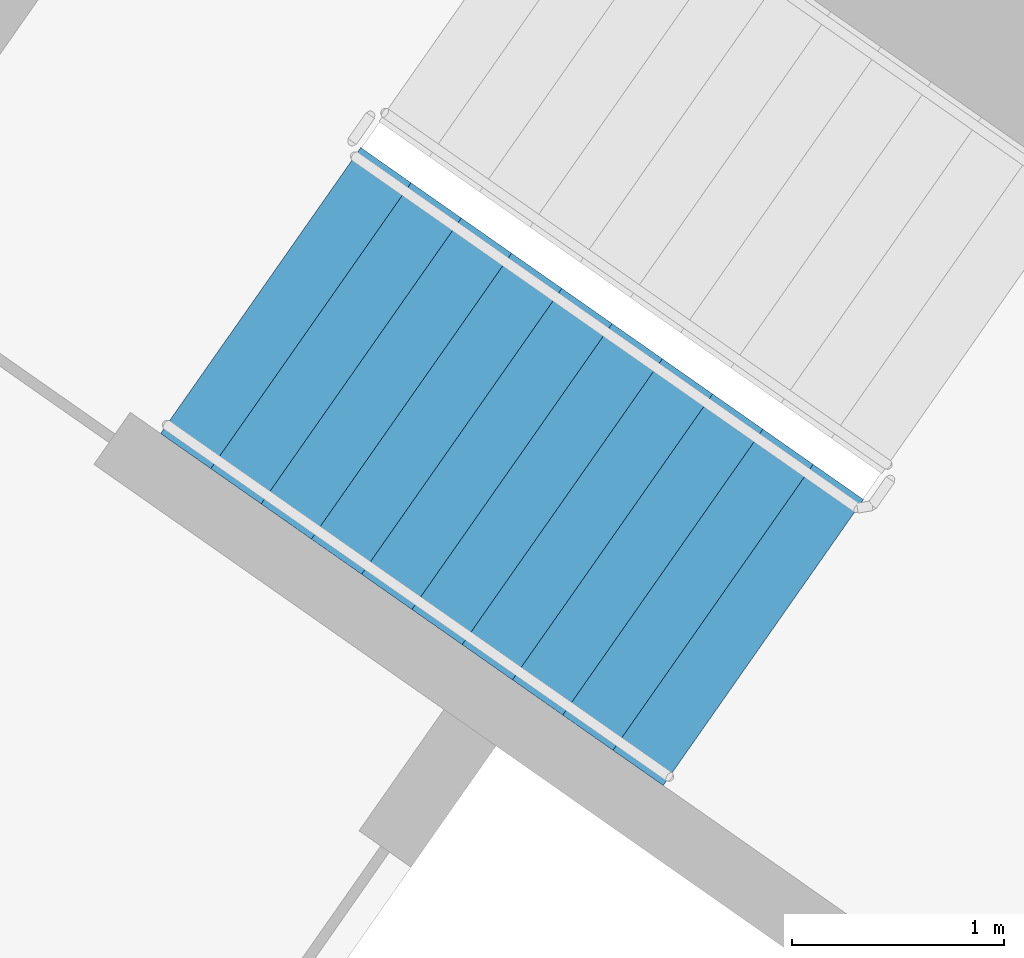
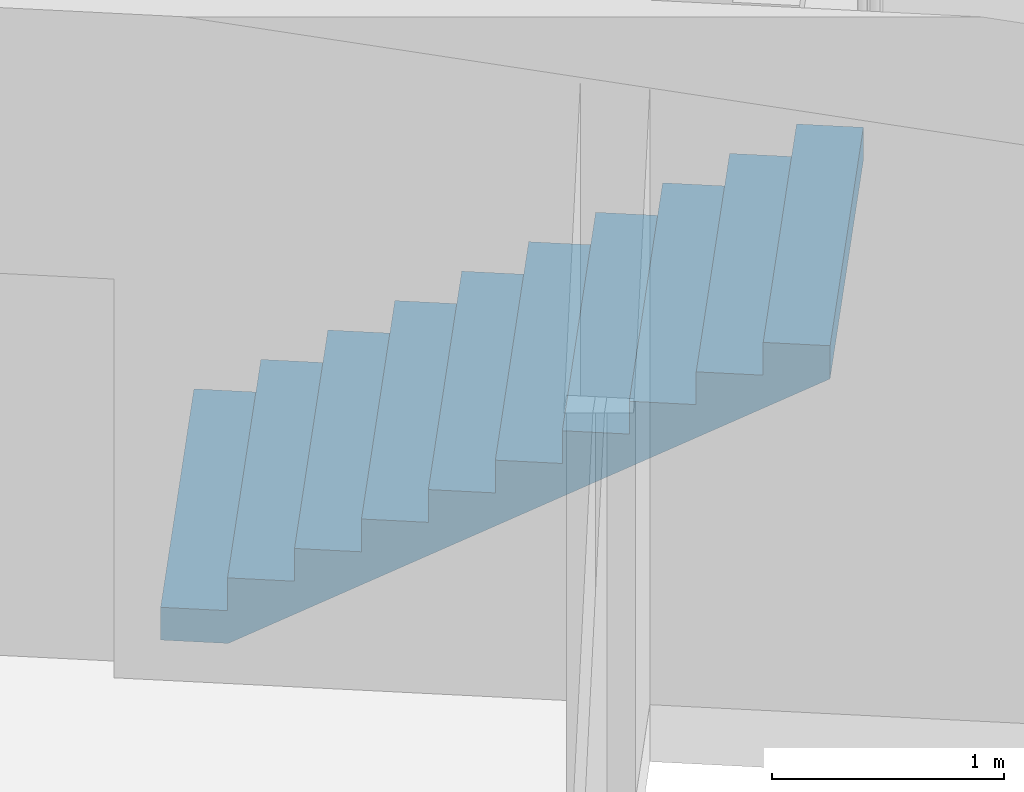
# One storey, part 12 of 28: 1 stair flight, 1 element without a shape of its own.
"""IFC4 building model written with IfcOpenShell, lengths in metres."""

from ifc_helpers import new_model, si_unit, direction, frame, origin, place, context, subcontext, project, spatial, faceted_brep, material, type_object, element, aggregate, save


model = new_model("IFC4")

# Units and contexts
model_context = context("Model", 3, precision=1e-05, world=origin(), true_north=direction((0.0, 1.0)))
body_context = subcontext(model_context, "Body", "Model", "MODEL_VIEW")
ifc_project = project(units=[si_unit("LENGTHUNIT", "METRE"), si_unit("AREAUNIT", "SQUARE_METRE"), si_unit("VOLUMEUNIT", "CUBIC_METRE"), si_unit("PLANEANGLEUNIT", "RADIAN"), si_unit("MASSUNIT", "GRAM", prefix="KILO")], contexts=[model_context])

# Site, building, storey
site_placement = place(None, origin())
site = spatial("IfcSite", under=ifc_project, at=site_placement, CompositionType="ELEMENT")
building_placement = place(site_placement, origin())
building = spatial("IfcBuilding", under=site, at=building_placement, Name="Qamariyya Broadcast Tower", CompositionType="ELEMENT")
storey_placement = place(building_placement, frame((0.0, 0.0, 273.300048828125)))
storey = spatial("IfcBuildingStorey", under=building, at=storey_placement, Name="L66", CompositionType="ELEMENT", Elevation=273.300048828125)

# Stair, stair flight
ifc_material = material(Name="Concrete C50/60", Category="concrete")
stair_type = type_object("IfcStairType", Name="Exit stair 22 risers of 173 mm", PredefinedType="HALF_TURN_STAIR", material=ifc_material)
stair_placement = place(storey_placement, origin())
stair = element("IfcStair", 1, at=stair_placement, inside=storey, type_object=stair_type, Name="L66 Stair W2", PredefinedType="HALF_TURN_STAIR")
stair_flight_type = type_object("IfcStairFlightType", Name="Exit stair flight 11 risers of 173 mm", PredefinedType="STRAIGHT", material=ifc_material)
stair_flight_placement = place(storey_placement, frame((-41.59130859375, -49.15966796875, 0.0), z_axis=(0.0, 0.0, 1.0), x_axis=(0.819152044289, -0.573576436351, 0.0)))
stair_flight = element("IfcStairFlight", 2, at=stair_flight_placement, type_object=stair_flight_type, Name="ST-W2 flight 1", NumberOfRisers=11, NumberOfTreads=10, PredefinedType="STRAIGHT", RiserHeight=0.172727273, TreadLength=0.29, context=body_context, shape_type="Brep", body=[
    faceted_brep([(0.0, 0.824951171875, 0.0), (0.0, 0.824951171875, 0.172607421875), (0.2900390625, 0.824951171875, 0.172607421875), (0.2900390625, 0.824951171875, 0.345458984375), (0.580078125, 0.824951171875, 0.345458984375), (0.580078125, 0.824951171875, 0.51806640625), (0.8701171875, 0.824951171875, 0.51806640625), (0.8701171875, 0.824951171875, 0.69091796875), (1.159912109375, 0.824951171875, 0.69091796875), (1.159912109375, 0.824951171875, 0.863525390625), (1.449951171875, 0.824951171875, 0.863525390625), (1.449951171875, 0.824951171875, 1.036376953125), (1.739990234375, 0.824951171875, 1.036376953125), (1.739990234375, 0.824951171875, 1.208984375), (2.030029296875, 0.824951171875, 1.208984375), (2.030029296875, 0.824951171875, 1.3818359375), (2.320068359375, 0.824951171875, 1.3818359375), (2.320068359375, 0.824951171875, 1.554443359375), (2.610107421875, 0.824951171875, 1.554443359375), (2.610107421875, 0.824951171875, 1.727294921875), (2.89990234375, 0.824951171875, 1.727294921875), (2.89990234375, 0.824951171875, 1.552734375), (0.29296875, 0.824951171875, 0.0), (0.29296875, -0.824951171875, 0.0), (2.89990234375, -0.824951171875, 1.552734375), (2.89990234375, -0.824951171875, 1.727294921875), (2.610107421875, -0.824951171875, 1.727294921875), (2.610107421875, -0.824951171875, 1.554443359375), (2.320068359375, -0.824951171875, 1.554443359375), (2.320068359375, -0.824951171875, 1.3818359375), (2.030029296875, -0.824951171875, 1.3818359375), (2.030029296875, -0.824951171875, 1.208984375), (1.739990234375, -0.824951171875, 1.208984375), (1.739990234375, -0.824951171875, 1.036376953125), (1.449951171875, -0.824951171875, 1.036376953125), (1.449951171875, -0.824951171875, 0.863525390625), (1.159912109375, -0.824951171875, 0.863525390625), (1.159912109375, -0.824951171875, 0.69091796875), (0.8701171875, -0.824951171875, 0.69091796875), (0.8701171875, -0.824951171875, 0.51806640625), (0.580078125, -0.824951171875, 0.51806640625), (0.580078125, -0.824951171875, 0.345458984375), (0.2900390625, -0.824951171875, 0.345458984375), (0.2900390625, -0.824951171875, 0.172607421875), (0.0, -0.824951171875, 0.172607421875), (0.0, -0.824951171875, 0.0), (0.0, 0.10009765625, 0.0), (0.0, 0.086669921875, 0.0), (0.0, 0.0732421875, 0.0), (0.0, 0.06005859375, 0.0), (0.0, 0.046630859375, 0.0), (0.0, 0.033447265625, 0.0), (0.0, 0.02001953125, 0.0), (0.0, 0.006591796875, 0.0), (0.0, -0.006591796875, 0.0), (0.0, -0.02001953125, 0.0), (0.0, -0.033447265625, 0.0), (0.0, -0.046630859375, 0.0), (0.0, -0.06005859375, 0.0), (0.0, -0.0732421875, 0.0), (0.0, -0.086669921875, 0.0), (0.0, -0.10009765625, 0.0), (0.0, -0.10009765625, 0.172607421875), (0.0, -0.086669921875, 0.172607421875), (0.0, -0.0732421875, 0.172607421875), (0.0, -0.06005859375, 0.172607421875), (0.0, -0.046630859375, 0.172607421875), (0.0, -0.033447265625, 0.172607421875), (0.0, -0.02001953125, 0.172607421875), (0.0, -0.006591796875, 0.172607421875), (0.0, 0.006591796875, 0.172607421875), (0.0, 0.02001953125, 0.172607421875), (0.0, 0.033447265625, 0.172607421875), (0.0, 0.046630859375, 0.172607421875), (0.0, 0.06005859375, 0.172607421875), (0.0, 0.0732421875, 0.172607421875), (0.0, 0.086669921875, 0.172607421875), (0.0, 0.10009765625, 0.172607421875), (0.2900390625, -0.10009765625, 0.172607421875), (0.2900390625, -0.086669921875, 0.172607421875), (0.2900390625, -0.0732421875, 0.172607421875), (0.2900390625, -0.06005859375, 0.172607421875), (0.2900390625, -0.046630859375, 0.172607421875), (0.2900390625, -0.033447265625, 0.172607421875), (0.2900390625, -0.02001953125, 0.172607421875), (0.2900390625, -0.006591796875, 0.172607421875), (0.2900390625, 0.006591796875, 0.172607421875), (0.2900390625, 0.02001953125, 0.172607421875), (0.2900390625, 0.033447265625, 0.172607421875), (0.2900390625, 0.046630859375, 0.172607421875), (0.2900390625, 0.06005859375, 0.172607421875), (0.2900390625, 0.0732421875, 0.172607421875), (0.2900390625, 0.086669921875, 0.172607421875), (0.2900390625, 0.10009765625, 0.172607421875), (0.2900390625, -0.10009765625, 0.345458984375), (0.2900390625, -0.086669921875, 0.345458984375), (0.2900390625, -0.0732421875, 0.345458984375), (0.2900390625, -0.06005859375, 0.345458984375), (0.2900390625, -0.046630859375, 0.345458984375), (0.2900390625, -0.033447265625, 0.345458984375), (0.2900390625, -0.02001953125, 0.345458984375), (0.2900390625, -0.006591796875, 0.345458984375), (0.2900390625, 0.006591796875, 0.345458984375), (0.2900390625, 0.02001953125, 0.345458984375), (0.2900390625, 0.033447265625, 0.345458984375), (0.2900390625, 0.046630859375, 0.345458984375), (0.2900390625, 0.06005859375, 0.345458984375), (0.2900390625, 0.0732421875, 0.345458984375), (0.2900390625, 0.086669921875, 0.345458984375), (0.2900390625, 0.10009765625, 0.345458984375), (0.580078125, -0.10009765625, 0.345458984375), (0.580078125, -0.086669921875, 0.345458984375), (0.580078125, -0.0732421875, 0.345458984375), (0.580078125, -0.06005859375, 0.345458984375), (0.580078125, -0.046630859375, 0.345458984375), (0.580078125, -0.033447265625, 0.345458984375), (0.580078125, -0.02001953125, 0.345458984375), (0.580078125, -0.006591796875, 0.345458984375), (0.580078125, 0.006591796875, 0.345458984375), (0.580078125, 0.02001953125, 0.345458984375), (0.580078125, 0.033447265625, 0.345458984375), (0.580078125, 0.046630859375, 0.345458984375), (0.580078125, 0.06005859375, 0.345458984375), (0.580078125, 0.0732421875, 0.345458984375), (0.580078125, 0.086669921875, 0.345458984375), (0.580078125, 0.10009765625, 0.345458984375), (0.580078125, -0.10009765625, 0.51806640625), (0.580078125, -0.086669921875, 0.51806640625), (0.580078125, -0.0732421875, 0.51806640625), (0.580078125, -0.06005859375, 0.51806640625), (0.580078125, -0.046630859375, 0.51806640625), (0.580078125, -0.033447265625, 0.51806640625), (0.580078125, -0.02001953125, 0.51806640625), (0.580078125, -0.006591796875, 0.51806640625), (0.580078125, 0.006591796875, 0.51806640625), (0.580078125, 0.02001953125, 0.51806640625), (0.580078125, 0.033447265625, 0.51806640625), (0.580078125, 0.046630859375, 0.51806640625), (0.580078125, 0.06005859375, 0.51806640625), (0.580078125, 0.0732421875, 0.51806640625), (0.580078125, 0.086669921875, 0.51806640625), (0.580078125, 0.10009765625, 0.51806640625), (0.8701171875, -0.10009765625, 0.51806640625), (0.8701171875, -0.086669921875, 0.51806640625), (0.8701171875, -0.0732421875, 0.51806640625), (0.8701171875, -0.06005859375, 0.51806640625), (0.8701171875, -0.046630859375, 0.51806640625), (0.8701171875, -0.033447265625, 0.51806640625), (0.8701171875, -0.02001953125, 0.51806640625), (0.8701171875, -0.006591796875, 0.51806640625), (0.8701171875, 0.006591796875, 0.51806640625), (0.8701171875, 0.02001953125, 0.51806640625), (0.8701171875, 0.033447265625, 0.51806640625), (0.8701171875, 0.046630859375, 0.51806640625), (0.8701171875, 0.06005859375, 0.51806640625), (0.8701171875, 0.0732421875, 0.51806640625), (0.8701171875, 0.086669921875, 0.51806640625), (0.8701171875, 0.10009765625, 0.51806640625), (0.8701171875, -0.10009765625, 0.69091796875), (0.8701171875, -0.086669921875, 0.69091796875), (0.8701171875, -0.0732421875, 0.69091796875), (0.8701171875, -0.06005859375, 0.69091796875), (0.8701171875, -0.046630859375, 0.69091796875), (0.8701171875, -0.033447265625, 0.69091796875), (0.8701171875, -0.02001953125, 0.69091796875), (0.8701171875, -0.006591796875, 0.69091796875), (0.8701171875, 0.006591796875, 0.69091796875), (0.8701171875, 0.02001953125, 0.69091796875), (0.8701171875, 0.033447265625, 0.69091796875), (0.8701171875, 0.046630859375, 0.69091796875), (0.8701171875, 0.06005859375, 0.69091796875), (0.8701171875, 0.0732421875, 0.69091796875), (0.8701171875, 0.086669921875, 0.69091796875), (0.8701171875, 0.10009765625, 0.69091796875), (1.159912109375, -0.10009765625, 0.69091796875), (1.159912109375, -0.086669921875, 0.69091796875), (1.159912109375, -0.0732421875, 0.69091796875), (1.159912109375, -0.06005859375, 0.69091796875), (1.159912109375, -0.046630859375, 0.69091796875), (1.159912109375, -0.033447265625, 0.69091796875), (1.159912109375, -0.02001953125, 0.69091796875), (1.159912109375, -0.006591796875, 0.69091796875), (1.159912109375, 0.006591796875, 0.69091796875), (1.159912109375, 0.02001953125, 0.69091796875), (1.159912109375, 0.033447265625, 0.69091796875), (1.159912109375, 0.046630859375, 0.69091796875), (1.159912109375, 0.06005859375, 0.69091796875), (1.159912109375, 0.0732421875, 0.69091796875), (1.159912109375, 0.086669921875, 0.69091796875), (1.159912109375, 0.10009765625, 0.69091796875), (1.159912109375, -0.10009765625, 0.863525390625), (1.159912109375, -0.086669921875, 0.863525390625), (1.159912109375, -0.0732421875, 0.863525390625), (1.159912109375, -0.06005859375, 0.863525390625), (1.159912109375, -0.046630859375, 0.863525390625), (1.159912109375, -0.033447265625, 0.863525390625), (1.159912109375, -0.02001953125, 0.863525390625), (1.159912109375, -0.006591796875, 0.863525390625), (1.159912109375, 0.006591796875, 0.863525390625), (1.159912109375, 0.02001953125, 0.863525390625), (1.159912109375, 0.033447265625, 0.863525390625), (1.159912109375, 0.046630859375, 0.863525390625), (1.159912109375, 0.06005859375, 0.863525390625), (1.159912109375, 0.0732421875, 0.863525390625), (1.159912109375, 0.086669921875, 0.863525390625), (1.159912109375, 0.10009765625, 0.863525390625), (1.449951171875, -0.10009765625, 0.863525390625), (1.449951171875, -0.086669921875, 0.863525390625), (1.449951171875, -0.0732421875, 0.863525390625), (1.449951171875, -0.06005859375, 0.863525390625), (1.449951171875, -0.046630859375, 0.863525390625), (1.449951171875, -0.033447265625, 0.863525390625), (1.449951171875, -0.02001953125, 0.863525390625), (1.449951171875, -0.006591796875, 0.863525390625), (1.449951171875, 0.006591796875, 0.863525390625), (1.449951171875, 0.02001953125, 0.863525390625), (1.449951171875, 0.033447265625, 0.863525390625), (1.449951171875, 0.046630859375, 0.863525390625), (1.449951171875, 0.06005859375, 0.863525390625), (1.449951171875, 0.0732421875, 0.863525390625), (1.449951171875, 0.086669921875, 0.863525390625), (1.449951171875, 0.10009765625, 0.863525390625), (1.449951171875, -0.10009765625, 1.036376953125), (1.449951171875, -0.086669921875, 1.036376953125), (1.449951171875, -0.0732421875, 1.036376953125), (1.449951171875, -0.06005859375, 1.036376953125), (1.449951171875, -0.046630859375, 1.036376953125), (1.449951171875, -0.033447265625, 1.036376953125), (1.449951171875, -0.02001953125, 1.036376953125), (1.449951171875, -0.006591796875, 1.036376953125), (1.449951171875, 0.006591796875, 1.036376953125), (1.449951171875, 0.02001953125, 1.036376953125), (1.449951171875, 0.033447265625, 1.036376953125), (1.449951171875, 0.046630859375, 1.036376953125), (1.449951171875, 0.06005859375, 1.036376953125), (1.449951171875, 0.0732421875, 1.036376953125), (1.449951171875, 0.086669921875, 1.036376953125), (1.449951171875, 0.10009765625, 1.036376953125), (1.739990234375, -0.10009765625, 1.036376953125), (1.739990234375, -0.086669921875, 1.036376953125), (1.739990234375, -0.0732421875, 1.036376953125), (1.739990234375, -0.06005859375, 1.036376953125), (1.739990234375, -0.046630859375, 1.036376953125), (1.739990234375, -0.033447265625, 1.036376953125), (1.739990234375, -0.02001953125, 1.036376953125), (1.739990234375, -0.006591796875, 1.036376953125), (1.739990234375, 0.006591796875, 1.036376953125), (1.739990234375, 0.02001953125, 1.036376953125), (1.739990234375, 0.033447265625, 1.036376953125), (1.739990234375, 0.046630859375, 1.036376953125), (1.739990234375, 0.06005859375, 1.036376953125), (1.739990234375, 0.0732421875, 1.036376953125), (1.739990234375, 0.086669921875, 1.036376953125), (1.739990234375, 0.10009765625, 1.036376953125), (1.739990234375, -0.10009765625, 1.208984375), (1.739990234375, -0.086669921875, 1.208984375), (1.739990234375, -0.0732421875, 1.208984375), (1.739990234375, -0.06005859375, 1.208984375), (1.739990234375, -0.046630859375, 1.208984375), (1.739990234375, -0.033447265625, 1.208984375), (1.739990234375, -0.02001953125, 1.208984375), (1.739990234375, -0.006591796875, 1.208984375), (1.739990234375, 0.006591796875, 1.208984375), (1.739990234375, 0.02001953125, 1.208984375), (1.739990234375, 0.033447265625, 1.208984375), (1.739990234375, 0.046630859375, 1.208984375), (1.739990234375, 0.06005859375, 1.208984375), (1.739990234375, 0.0732421875, 1.208984375), (1.739990234375, 0.086669921875, 1.208984375), (1.739990234375, 0.10009765625, 1.208984375), (2.030029296875, -0.10009765625, 1.208984375), (2.030029296875, -0.086669921875, 1.208984375), (2.030029296875, -0.0732421875, 1.208984375), (2.030029296875, -0.06005859375, 1.208984375), (2.030029296875, -0.046630859375, 1.208984375), (2.030029296875, -0.033447265625, 1.208984375), (2.030029296875, -0.02001953125, 1.208984375), (2.030029296875, -0.006591796875, 1.208984375), (2.030029296875, 0.006591796875, 1.208984375), (2.030029296875, 0.02001953125, 1.208984375), (2.030029296875, 0.033447265625, 1.208984375), (2.030029296875, 0.046630859375, 1.208984375), (2.030029296875, 0.06005859375, 1.208984375), (2.030029296875, 0.0732421875, 1.208984375), (2.030029296875, 0.086669921875, 1.208984375), (2.030029296875, 0.10009765625, 1.208984375), (2.030029296875, -0.10009765625, 1.3818359375), (2.030029296875, -0.086669921875, 1.3818359375), (2.030029296875, -0.0732421875, 1.3818359375), (2.030029296875, -0.06005859375, 1.3818359375), (2.030029296875, -0.046630859375, 1.3818359375), (2.030029296875, -0.033447265625, 1.3818359375), (2.030029296875, -0.02001953125, 1.3818359375), (2.030029296875, -0.006591796875, 1.3818359375), (2.030029296875, 0.006591796875, 1.3818359375), (2.030029296875, 0.02001953125, 1.3818359375), (2.030029296875, 0.033447265625, 1.3818359375), (2.030029296875, 0.046630859375, 1.3818359375), (2.030029296875, 0.06005859375, 1.3818359375), (2.030029296875, 0.0732421875, 1.3818359375), (2.030029296875, 0.086669921875, 1.3818359375), (2.030029296875, 0.10009765625, 1.3818359375), (2.320068359375, -0.10009765625, 1.3818359375), (2.320068359375, -0.086669921875, 1.3818359375), (2.320068359375, -0.0732421875, 1.3818359375), (2.320068359375, -0.06005859375, 1.3818359375), (2.320068359375, -0.046630859375, 1.3818359375), (2.320068359375, -0.033447265625, 1.3818359375), (2.320068359375, -0.02001953125, 1.3818359375), (2.320068359375, -0.006591796875, 1.3818359375), (2.320068359375, 0.006591796875, 1.3818359375), (2.320068359375, 0.02001953125, 1.3818359375), (2.320068359375, 0.033447265625, 1.3818359375), (2.320068359375, 0.046630859375, 1.3818359375), (2.320068359375, 0.06005859375, 1.3818359375), (2.320068359375, 0.0732421875, 1.3818359375), (2.320068359375, 0.086669921875, 1.3818359375), (2.320068359375, 0.10009765625, 1.3818359375), (2.320068359375, -0.10009765625, 1.554443359375), (2.320068359375, -0.086669921875, 1.554443359375), (2.320068359375, -0.0732421875, 1.554443359375), (2.320068359375, -0.06005859375, 1.554443359375), (2.320068359375, -0.046630859375, 1.554443359375), (2.320068359375, -0.033447265625, 1.554443359375), (2.320068359375, -0.02001953125, 1.554443359375), (2.320068359375, -0.006591796875, 1.554443359375), (2.320068359375, 0.006591796875, 1.554443359375), (2.320068359375, 0.02001953125, 1.554443359375), (2.320068359375, 0.033447265625, 1.554443359375), (2.320068359375, 0.046630859375, 1.554443359375), (2.320068359375, 0.06005859375, 1.554443359375), (2.320068359375, 0.0732421875, 1.554443359375), (2.320068359375, 0.086669921875, 1.554443359375), (2.320068359375, 0.10009765625, 1.554443359375), (2.610107421875, -0.10009765625, 1.554443359375), (2.610107421875, -0.086669921875, 1.554443359375), (2.610107421875, -0.0732421875, 1.554443359375), (2.610107421875, -0.06005859375, 1.554443359375), (2.610107421875, -0.046630859375, 1.554443359375), (2.610107421875, -0.033447265625, 1.554443359375), (2.610107421875, -0.02001953125, 1.554443359375), (2.610107421875, -0.006591796875, 1.554443359375), (2.610107421875, 0.006591796875, 1.554443359375), (2.610107421875, 0.02001953125, 1.554443359375), (2.610107421875, 0.033447265625, 1.554443359375), (2.610107421875, 0.046630859375, 1.554443359375), (2.610107421875, 0.06005859375, 1.554443359375), (2.610107421875, 0.0732421875, 1.554443359375), (2.610107421875, 0.086669921875, 1.554443359375), (2.610107421875, 0.10009765625, 1.554443359375), (2.610107421875, -0.10009765625, 1.727294921875), (2.610107421875, -0.086669921875, 1.727294921875), (2.610107421875, -0.0732421875, 1.727294921875), (2.610107421875, -0.06005859375, 1.727294921875), (2.610107421875, -0.046630859375, 1.727294921875), (2.610107421875, -0.033447265625, 1.727294921875), (2.610107421875, -0.02001953125, 1.727294921875), (2.610107421875, -0.006591796875, 1.727294921875), (2.610107421875, 0.006591796875, 1.727294921875), (2.610107421875, 0.02001953125, 1.727294921875), (2.610107421875, 0.033447265625, 1.727294921875), (2.610107421875, 0.046630859375, 1.727294921875), (2.610107421875, 0.06005859375, 1.727294921875), (2.610107421875, 0.0732421875, 1.727294921875), (2.610107421875, 0.086669921875, 1.727294921875), (2.610107421875, 0.10009765625, 1.727294921875), (2.89990234375, -0.10009765625, 1.727294921875), (2.89990234375, -0.086669921875, 1.727294921875), (2.89990234375, -0.0732421875, 1.727294921875), (2.89990234375, -0.06005859375, 1.727294921875), (2.89990234375, -0.046630859375, 1.727294921875), (2.89990234375, -0.033447265625, 1.727294921875), (2.89990234375, -0.02001953125, 1.727294921875), (2.89990234375, -0.006591796875, 1.727294921875), (2.89990234375, 0.006591796875, 1.727294921875), (2.89990234375, 0.02001953125, 1.727294921875), (2.89990234375, 0.033447265625, 1.727294921875), (2.89990234375, 0.046630859375, 1.727294921875), (2.89990234375, 0.06005859375, 1.727294921875), (2.89990234375, 0.0732421875, 1.727294921875), (2.89990234375, 0.086669921875, 1.727294921875), (2.89990234375, 0.10009765625, 1.727294921875), (2.89990234375, -0.10009765625, 1.552734375), (2.89990234375, -0.086669921875, 1.552734375), (2.89990234375, -0.0732421875, 1.552734375), (2.89990234375, -0.06005859375, 1.552734375), (2.89990234375, -0.046630859375, 1.552734375), (2.89990234375, -0.033447265625, 1.552734375), (2.89990234375, -0.02001953125, 1.552734375), (2.89990234375, -0.006591796875, 1.552734375), (2.89990234375, 0.006591796875, 1.552734375), (2.89990234375, 0.02001953125, 1.552734375), (2.89990234375, 0.033447265625, 1.552734375), (2.89990234375, 0.046630859375, 1.552734375), (2.89990234375, 0.06005859375, 1.552734375), (2.89990234375, 0.0732421875, 1.552734375), (2.89990234375, 0.086669921875, 1.552734375), (2.89990234375, 0.10009765625, 1.552734375), (0.29296875, -0.10009765625, 0.0), (0.29296875, -0.086669921875, 0.0), (0.29296875, -0.0732421875, 0.0), (0.29296875, -0.06005859375, 0.0), (0.29296875, -0.046630859375, 0.0), (0.29296875, -0.033447265625, 0.0), (0.29296875, -0.02001953125, 0.0), (0.29296875, -0.006591796875, 0.0), (0.29296875, 0.006591796875, 0.0), (0.29296875, 0.02001953125, 0.0), (0.29296875, 0.033447265625, 0.0), (0.29296875, 0.046630859375, 0.0), (0.29296875, 0.06005859375, 0.0), (0.29296875, 0.0732421875, 0.0), (0.29296875, 0.086669921875, 0.0), (0.29296875, 0.10009765625, 0.0)], [[[0, 1, 2, 3, 4, 5, 6, 7, 8, 9, 10, 11, 12, 13, 14, 15, 16, 17, 18, 19, 20, 21, 22]], [[23, 24, 25, 26, 27, 28, 29, 30, 31, 32, 33, 34, 35, 36, 37, 38, 39, 40, 41, 42, 43, 44, 45]], [[0, 46, 47, 48, 49, 50, 51, 52, 53, 54, 55, 56, 57, 58, 59, 60, 61, 45, 44, 62, 63, 64, 65, 66, 67, 68, 69, 70, 71, 72, 73, 74, 75, 76, 77, 1]], [[1, 77, 76, 75, 74, 73, 72, 71, 70, 69, 68, 67, 66, 65, 64, 63, 62, 44, 43, 78, 79, 80, 81, 82, 83, 84, 85, 86, 87, 88, 89, 90, 91, 92, 93, 2]], [[2, 93, 92, 91, 90, 89, 88, 87, 86, 85, 84, 83, 82, 81, 80, 79, 78, 43, 42, 94, 95, 96, 97, 98, 99, 100, 101, 102, 103, 104, 105, 106, 107, 108, 109, 3]], [[3, 109, 108, 107, 106, 105, 104, 103, 102, 101, 100, 99, 98, 97, 96, 95, 94, 42, 41, 110, 111, 112, 113, 114, 115, 116, 117, 118, 119, 120, 121, 122, 123, 124, 125, 4]], [[4, 125, 124, 123, 122, 121, 120, 119, 118, 117, 116, 115, 114, 113, 112, 111, 110, 41, 40, 126, 127, 128, 129, 130, 131, 132, 133, 134, 135, 136, 137, 138, 139, 140, 141, 5]], [[5, 141, 140, 139, 138, 137, 136, 135, 134, 133, 132, 131, 130, 129, 128, 127, 126, 40, 39, 142, 143, 144, 145, 146, 147, 148, 149, 150, 151, 152, 153, 154, 155, 156, 157, 6]], [[6, 157, 156, 155, 154, 153, 152, 151, 150, 149, 148, 147, 146, 145, 144, 143, 142, 39, 38, 158, 159, 160, 161, 162, 163, 164, 165, 166, 167, 168, 169, 170, 171, 172, 173, 7]], [[7, 173, 172, 171, 170, 169, 168, 167, 166, 165, 164, 163, 162, 161, 160, 159, 158, 38, 37, 174, 175, 176, 177, 178, 179, 180, 181, 182, 183, 184, 185, 186, 187, 188, 189, 8]], [[8, 189, 188, 187, 186, 185, 184, 183, 182, 181, 180, 179, 178, 177, 176, 175, 174, 37, 36, 190, 191, 192, 193, 194, 195, 196, 197, 198, 199, 200, 201, 202, 203, 204, 205, 9]], [[9, 205, 204, 203, 202, 201, 200, 199, 198, 197, 196, 195, 194, 193, 192, 191, 190, 36, 35, 206, 207, 208, 209, 210, 211, 212, 213, 214, 215, 216, 217, 218, 219, 220, 221, 10]], [[10, 221, 220, 219, 218, 217, 216, 215, 214, 213, 212, 211, 210, 209, 208, 207, 206, 35, 34, 222, 223, 224, 225, 226, 227, 228, 229, 230, 231, 232, 233, 234, 235, 236, 237, 11]], [[11, 237, 236, 235, 234, 233, 232, 231, 230, 229, 228, 227, 226, 225, 224, 223, 222, 34, 33, 238, 239, 240, 241, 242, 243, 244, 245, 246, 247, 248, 249, 250, 251, 252, 253, 12]], [[12, 253, 252, 251, 250, 249, 248, 247, 246, 245, 244, 243, 242, 241, 240, 239, 238, 33, 32, 254, 255, 256, 257, 258, 259, 260, 261, 262, 263, 264, 265, 266, 267, 268, 269, 13]], [[13, 269, 268, 267, 266, 265, 264, 263, 262, 261, 260, 259, 258, 257, 256, 255, 254, 32, 31, 270, 271, 272, 273, 274, 275, 276, 277, 278, 279, 280, 281, 282, 283, 284, 285, 14]], [[14, 285, 284, 283, 282, 281, 280, 279, 278, 277, 276, 275, 274, 273, 272, 271, 270, 31, 30, 286, 287, 288, 289, 290, 291, 292, 293, 294, 295, 296, 297, 298, 299, 300, 301, 15]], [[15, 301, 300, 299, 298, 297, 296, 295, 294, 293, 292, 291, 290, 289, 288, 287, 286, 30, 29, 302, 303, 304, 305, 306, 307, 308, 309, 310, 311, 312, 313, 314, 315, 316, 317, 16]], [[16, 317, 316, 315, 314, 313, 312, 311, 310, 309, 308, 307, 306, 305, 304, 303, 302, 29, 28, 318, 319, 320, 321, 322, 323, 324, 325, 326, 327, 328, 329, 330, 331, 332, 333, 17]], [[17, 333, 332, 331, 330, 329, 328, 327, 326, 325, 324, 323, 322, 321, 320, 319, 318, 28, 27, 334, 335, 336, 337, 338, 339, 340, 341, 342, 343, 344, 345, 346, 347, 348, 349, 18]], [[18, 349, 348, 347, 346, 345, 344, 343, 342, 341, 340, 339, 338, 337, 336, 335, 334, 27, 26, 350, 351, 352, 353, 354, 355, 356, 357, 358, 359, 360, 361, 362, 363, 364, 365, 19]], [[19, 365, 364, 363, 362, 361, 360, 359, 358, 357, 356, 355, 354, 353, 352, 351, 350, 26, 25, 366, 367, 368, 369, 370, 371, 372, 373, 374, 375, 376, 377, 378, 379, 380, 381, 20]], [[20, 381, 380, 379, 378, 377, 376, 375, 374, 373, 372, 371, 370, 369, 368, 367, 366, 25, 24, 382, 383, 384, 385, 386, 387, 388, 389, 390, 391, 392, 393, 394, 395, 396, 397, 21]], [[21, 397, 396, 395, 394, 393, 392, 391, 390, 389, 388, 387, 386, 385, 384, 383, 382, 24, 23, 398, 399, 400, 401, 402, 403, 404, 405, 406, 407, 408, 409, 410, 411, 412, 413, 22]], [[22, 413, 412, 411, 410, 409, 408, 407, 406, 405, 404, 403, 402, 401, 400, 399, 398, 23, 45, 61, 60, 59, 58, 57, 56, 55, 54, 53, 52, 51, 50, 49, 48, 47, 46, 0]]]),
])
aggregate(stair, [stair_flight])

save(model, "model.ifc")
